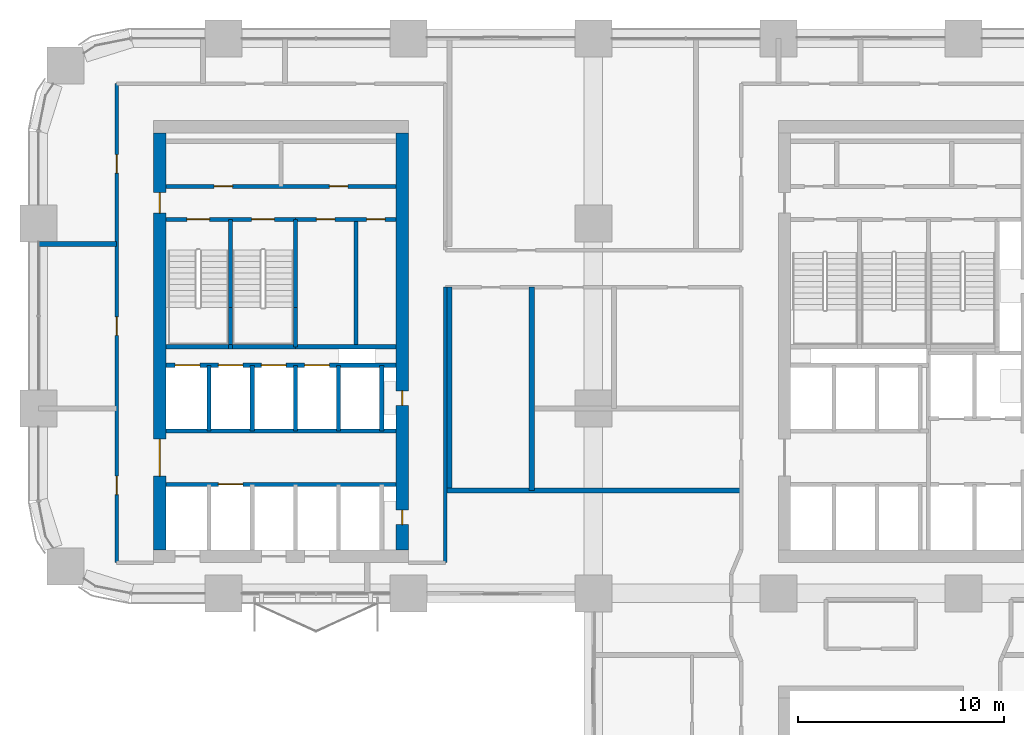
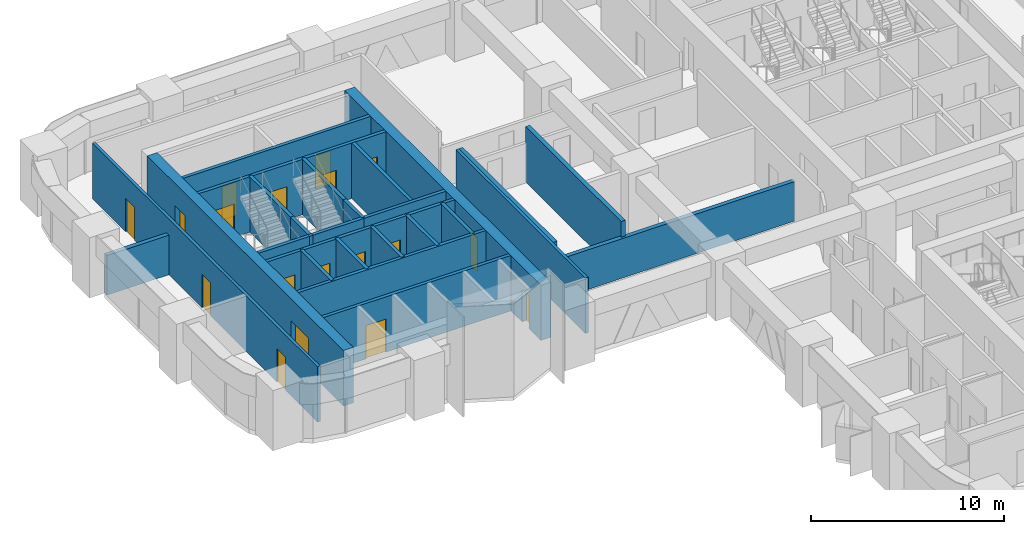
# One storey, part 15 of 24: 28 walls, 18 doors, 18 openings.
"""IFC4 building model written with IfcOpenShell, lengths in metres."""

from ifc_helpers import new_model, si_unit, direction, frame, frame_2d, origin, place, context, subcontext, project, spatial, rectangle, extrude, material, layer, layer_set, type_object, element, fill, save


model = new_model("IFC4")

# Units and contexts
model_context = context("Model", 3, precision=1e-05, world=origin(), true_north=direction((0.0, 1.0)))
body_context = subcontext(model_context, "Body", "Model", "MODEL_VIEW")
ifc_project = project(units=[si_unit("LENGTHUNIT", "METRE"), si_unit("AREAUNIT", "SQUARE_METRE"), si_unit("VOLUMEUNIT", "CUBIC_METRE"), si_unit("PLANEANGLEUNIT", "RADIAN"), si_unit("MASSUNIT", "GRAM", prefix="KILO")], contexts=[model_context])

# Site, building, storey
site_placement = place(None, origin())
site = spatial("IfcSite", under=ifc_project, at=site_placement, CompositionType="ELEMENT")
building_placement = place(site_placement, origin())
building = spatial("IfcBuilding", under=site, at=building_placement, Name="Tessera Arch", CompositionType="ELEMENT")
storey_placement = place(building_placement, frame((0.0, 0.0, 81.60009765625)))
storey = spatial("IfcBuildingStorey", under=building, at=storey_placement, Name="L18", CompositionType="ELEMENT", Elevation=81.60009765625)

# Wall
ifc_material_1 = material(Name="Gypsum board on steel stud", Category="steel")
ifc_layer_1 = layer(ifc_material_1, 0.125)
ifc_layer_set_1 = layer_set([ifc_layer_1], Name="Core partition 125 EI 60")
wall_type_1 = type_object("IfcWallType", Name="Core partition 125 EI 60", PredefinedType="PARTITIONING", material=ifc_layer_set_1)
wall_1_placement = place(storey_placement, frame((15.43994140625, 39.0, 0.0), z_axis=(0.0, 0.0, 1.0), x_axis=(0.0, 1.0, 0.0)))
element("IfcWall", 1, at=wall_1_placement, inside=storey, type_object=wall_type_1, Name="L18 C2 partition wall 14", PredefinedType="PARTITIONING", context=body_context, shape_type="SweptSolid", body=[
    extrude(rectangle(XDim=6.199951171875, YDim=0.199951171875, at=frame_2d((3.10009765625, 0.0))), origin(), (0.0, 0.0, 1.0), 3.5),
])

# Wall, openings, doors
wall_2_placement = place(storey_placement, frame((12.5, 45.199951171875, 0.0), z_axis=(0.0, 0.0, 1.0), x_axis=(1.0, 0.0, 0.0)))
wall_2 = element("IfcWall", 2, at=wall_2_placement, inside=storey, type_object=wall_type_1, Name="L18 C2 partition wall 24", PredefinedType="PARTITIONING", context=body_context, shape_type="SweptSolid", body=[
    extrude(rectangle(XDim=4.89990234375, YDim=0.199951171875, at=frame_2d((2.449951171875, 0.0))), origin(), (0.0, 0.0, 1.0), 3.5),
])
opening_1_placement = place(wall_2_placement, frame((1.02001953125, 0.0, 0.0)))
opening_1 = element("IfcOpeningElement", 3, at=opening_1_placement, cuts=wall_2, Name="Opening L18-C31", PredefinedType="OPENING", context=body_context, shape_type="SweptSolid", body=[
    extrude(rectangle(XDim=0.89990234375, YDim=2.10009765625, at=frame_2d((0.449951171875, 1.050048828125))), frame((0.0, 0.10986328125, 0.0), z_axis=(0.0, -1.0, 0.0), x_axis=(1.0, 0.0, 0.0)), (0.0, 0.0, 1.0), 0.219970703125),
])
opening_2_placement = place(wall_2_placement, frame((3.469970703125, 0.0, 0.0)))
opening_2 = element("IfcOpeningElement", 4, at=opening_2_placement, cuts=wall_2, Name="Opening L18-C32", PredefinedType="OPENING", context=body_context, shape_type="SweptSolid", body=[
    extrude(rectangle(XDim=0.89990234375, YDim=2.10009765625, at=frame_2d((0.449951171875, 1.050048828125))), frame((0.0, 0.10986328125, 0.0), z_axis=(0.0, -1.0, 0.0), x_axis=(1.0, 0.0, 0.0)), (0.0, 0.0, 1.0), 0.219970703125),
])
ifc_material_2 = material(Name="Steel door leaf", Category="steel")
door_type_1 = type_object("IfcDoorType", Name="Store door FD30S 900 x 2100", OperationType="SINGLE_SWING_LEFT", PredefinedType="DOOR", material=ifc_material_2)
door_1_placement = place(opening_1_placement, origin())
door_1 = element("IfcDoor", 5, at=door_1_placement, inside=storey, type_object=door_type_1, Name="L18 C2 door 17 C31 type D09", OperationType="SINGLE_SWING_LEFT", OverallHeight=2.10009765625, OverallWidth=0.89990234375, PredefinedType="DOOR", context=body_context, shape_type="SweptSolid", body=[
    extrude(rectangle(XDim=0.89990234375, YDim=2.10009765625, at=frame_2d((0.449951171875, 1.050048828125))), frame((0.0, 0.02490234375, 0.0), z_axis=(0.0, -1.0, 0.0), x_axis=(1.0, 0.0, 0.0)), (0.0, 0.0, 1.0), 0.050048828125),
])
fill(opening_1, door_1)
door_2_placement = place(opening_2_placement, origin())
door_2 = element("IfcDoor", 6, at=door_2_placement, inside=storey, type_object=door_type_1, Name="L18 C2 door 18 C32 type D09", OperationType="SINGLE_SWING_RIGHT", OverallHeight=2.10009765625, OverallWidth=0.89990234375, PredefinedType="DOOR", context=body_context, shape_type="SweptSolid", body=[
    extrude(rectangle(XDim=0.89990234375, YDim=2.10009765625, at=frame_2d((0.449951171875, 1.050048828125))), frame((0.0, 0.02490234375, 0.0), z_axis=(0.0, -1.0, 0.0), x_axis=(1.0, 0.0, 0.0)), (0.0, 0.0, 1.0), 0.050048828125),
])
fill(opening_2, door_2)

wall_3_placement = place(storey_placement, frame((6.199951171875, 46.800048828125, 0.0), z_axis=(0.0, 0.0, 1.0), x_axis=(1.0, 0.0, 0.0)))
wall_3 = element("IfcWall", 7, at=wall_3_placement, inside=storey, type_object=wall_type_1, Name="L18 C2 partition wall 26", PredefinedType="PARTITIONING", context=body_context, shape_type="SweptSolid", body=[
    extrude(rectangle(XDim=11.199951171875, YDim=0.199951171875, at=frame_2d((5.60009765625, 0.0))), origin(), (0.0, 0.0, 1.0), 3.5),
])
opening_3_placement = place(wall_3_placement, frame((2.35009765625, 0.0, 0.0)))
opening_3 = element("IfcOpeningElement", 8, at=opening_3_placement, cuts=wall_3, Name="Opening L18-C29", PredefinedType="OPENING", context=body_context, shape_type="SweptSolid", body=[
    extrude(rectangle(XDim=0.89990234375, YDim=2.10009765625, at=frame_2d((0.449951171875, 1.050048828125))), frame((0.0, 0.10986328125, 0.0), z_axis=(0.0, -1.0, 0.0), x_axis=(1.0, 0.0, 0.0)), (0.0, 0.0, 1.0), 0.219970703125),
])
opening_4_placement = place(wall_3_placement, frame((7.949951171875, 0.0, 0.0)))
opening_4 = element("IfcOpeningElement", 9, at=opening_4_placement, cuts=wall_3, Name="Opening L18-C30", PredefinedType="OPENING", context=body_context, shape_type="SweptSolid", body=[
    extrude(rectangle(XDim=0.89990234375, YDim=2.10009765625, at=frame_2d((0.449951171875, 1.050048828125))), frame((0.0, 0.10986328125, 0.0), z_axis=(0.0, -1.0, 0.0), x_axis=(1.0, 0.0, 0.0)), (0.0, 0.0, 1.0), 0.219970703125),
])
door_3_placement = place(opening_3_placement, origin())
door_3 = element("IfcDoor", 10, at=door_3_placement, inside=storey, type_object=door_type_1, Name="L18 C2 door 15 C29 type D09", OperationType="SINGLE_SWING_LEFT", OverallHeight=2.10009765625, OverallWidth=0.89990234375, PredefinedType="DOOR", context=body_context, shape_type="SweptSolid", body=[
    extrude(rectangle(XDim=0.89990234375, YDim=2.10009765625, at=frame_2d((0.449951171875, 1.050048828125))), frame((0.0, 0.02490234375, 0.0), z_axis=(0.0, -1.0, 0.0), x_axis=(1.0, 0.0, 0.0)), (0.0, 0.0, 1.0), 0.050048828125),
])
fill(opening_3, door_3)
door_4_placement = place(opening_4_placement, origin())
door_4 = element("IfcDoor", 11, at=door_4_placement, inside=storey, type_object=door_type_1, Name="L18 C2 door 16 C30 type D09", OperationType="SINGLE_SWING_RIGHT", OverallHeight=2.10009765625, OverallWidth=0.89990234375, PredefinedType="DOOR", context=body_context, shape_type="SweptSolid", body=[
    extrude(rectangle(XDim=0.89990234375, YDim=2.10009765625, at=frame_2d((0.449951171875, 1.050048828125))), frame((0.0, 0.02490234375, 0.0), z_axis=(0.0, -1.0, 0.0), x_axis=(1.0, 0.0, 0.0)), (0.0, 0.0, 1.0), 0.050048828125),
])
fill(opening_4, door_4)

ifc_material_3 = material(Name="Concrete C70/85", Category="concrete")
ifc_layer_2 = layer(ifc_material_3, 0.60009765625)
ifc_layer_set_2 = layer_set([ifc_layer_2], Name="Core shell wall 600 C70-85")
wall_type_2 = type_object("IfcWallType", Name="Core shell wall 600 C70-85", PredefinedType="SHEAR", material=ifc_layer_set_2)
wall_4_placement = place(storey_placement, frame((5.89990234375, 29.10009765625, 0.0), z_axis=(0.0, 0.0, 1.0), x_axis=(0.0, 1.0, 0.0)))
wall_4 = element("IfcWall", 12, at=wall_4_placement, inside=storey, type_object=wall_type_2, Name="L18 C2 core wall W", PredefinedType="SHEAR", context=body_context, shape_type="SweptSolid", body=[
    extrude(rectangle(XDim=20.2998046875, YDim=0.60009765625, at=frame_2d((10.14990234375, 0.0))), origin(), (0.0, 0.0, 1.0), 3.5),
])
opening_5_placement = place(wall_4_placement, frame((3.60009765625, 0.0, 0.0)))
opening_5 = element("IfcOpeningElement", 13, at=opening_5_placement, cuts=wall_4, Name="Opening L18-C25", PredefinedType="OPENING", context=body_context, shape_type="SweptSolid", body=[
    extrude(rectangle(XDim=1.800048828125, YDim=2.10009765625, at=frame_2d((0.89990234375, 1.050048828125))), frame((0.0, 0.31005859375, 0.0), z_axis=(0.0, -1.0, 0.0), x_axis=(1.0, 0.0, 0.0)), (0.0, 0.0, 1.0), 0.6201171875),
])
opening_6_placement = place(wall_4_placement, frame((16.39990234375, 0.0, 0.0)))
opening_6 = element("IfcOpeningElement", 14, at=opening_6_placement, cuts=wall_4, Name="Opening L18-C28", PredefinedType="OPENING", context=body_context, shape_type="SweptSolid", body=[
    extrude(rectangle(XDim=1.0, YDim=2.10009765625, at=frame_2d((0.5, 1.050048828125))), frame((0.0, 0.31005859375, 0.0), z_axis=(0.0, -1.0, 0.0), x_axis=(1.0, 0.0, 0.0)), (0.0, 0.0, 1.0), 0.6201171875),
])
ifc_material_4 = material(Name="Steel door leaf", Category="steel")
door_type_2 = type_object("IfcDoorType", Name="Corridor door FD60 1000 x 2100", OperationType="SINGLE_SWING_LEFT", PredefinedType="DOOR", material=ifc_material_4)
door_5_placement = place(opening_6_placement, origin())
door_5 = element("IfcDoor", 15, at=door_5_placement, inside=storey, type_object=door_type_2, Name="L18 C2 door 14 C28 type D12", OperationType="SINGLE_SWING_RIGHT", OverallHeight=2.10009765625, OverallWidth=1.0, PredefinedType="DOOR", context=body_context, shape_type="SweptSolid", body=[
    extrude(rectangle(XDim=1.0, YDim=2.10009765625, at=frame_2d((0.5, 1.050048828125))), frame((0.0, 0.02490234375, 0.0), z_axis=(0.0, -1.0, 0.0), x_axis=(1.0, 0.0, 0.0)), (0.0, 0.0, 1.0), 0.050048828125),
])
fill(opening_6, door_5)
ifc_material_5 = material(Name="Glazed steel door leaf", Category="steel")
door_type_3 = type_object("IfcDoorType", Name="Lobby double door FD30S 1800 x 2100", OperationType="DOUBLE_DOOR_SINGLE_SWING", PredefinedType="DOOR", material=ifc_material_5)
door_6_placement = place(opening_5_placement, origin())
door_6 = element("IfcDoor", 16, at=door_6_placement, inside=storey, type_object=door_type_3, Name="L18 C2 door 11 C25 type D06", OperationType="DOUBLE_DOOR_SINGLE_SWING", OverallHeight=2.10009765625, OverallWidth=1.800048828125, PredefinedType="DOOR", context=body_context, shape_type="SweptSolid", body=[
    extrude(rectangle(XDim=1.800048828125, YDim=2.10009765625, at=frame_2d((0.89990234375, 1.050048828125))), frame((0.0, 0.02490234375, 0.0), z_axis=(0.0, -1.0, 0.0), x_axis=(1.0, 0.0, 0.0)), (0.0, 0.0, 1.0), 0.050048828125),
])
fill(opening_5, door_6)

wall_5_placement = place(storey_placement, frame((17.699951171875, 29.10009765625, 0.0), z_axis=(0.0, 0.0, 1.0), x_axis=(0.0, 1.0, 0.0)))
wall_5 = element("IfcWall", 17, at=wall_5_placement, inside=storey, type_object=wall_type_2, Name="L18 C2 core wall E", PredefinedType="SHEAR", context=body_context, shape_type="SweptSolid", body=[
    extrude(rectangle(XDim=20.2998046875, YDim=0.60009765625, at=frame_2d((10.14990234375, 0.0))), origin(), (0.0, 0.0, 1.0), 3.5),
])
opening_7_placement = place(wall_5_placement, frame((1.25, 0.0, 0.0)))
opening_7 = element("IfcOpeningElement", 18, at=opening_7_placement, cuts=wall_5, Name="Opening L18-C23", PredefinedType="OPENING", context=body_context, shape_type="SweptSolid", body=[
    extrude(rectangle(XDim=0.699951171875, YDim=2.10009765625, at=frame_2d((0.35009765625, 1.050048828125))), frame((0.0, 0.31005859375, 0.0), z_axis=(0.0, -1.0, 0.0), x_axis=(1.0, 0.0, 0.0)), (0.0, 0.0, 1.0), 0.6201171875),
])
opening_8_placement = place(wall_5_placement, frame((7.050048828125, 0.0, 0.0)))
opening_8 = element("IfcOpeningElement", 19, at=opening_8_placement, cuts=wall_5, Name="Opening L18-C24", PredefinedType="OPENING", context=body_context, shape_type="SweptSolid", body=[
    extrude(rectangle(XDim=0.699951171875, YDim=2.10009765625, at=frame_2d((0.35009765625, 1.050048828125))), frame((0.0, 0.31005859375, 0.0), z_axis=(0.0, -1.0, 0.0), x_axis=(1.0, 0.0, 0.0)), (0.0, 0.0, 1.0), 0.6201171875),
])
ifc_material_6 = material(Name="Steel door leaf", Category="steel")
door_type_4 = type_object("IfcDoorType", Name="Service shaft door FD60 700 x 2100", OperationType="SINGLE_SWING_LEFT", PredefinedType="DOOR", material=ifc_material_6)
door_7_placement = place(opening_7_placement, origin())
door_7 = element("IfcDoor", 20, at=door_7_placement, inside=storey, type_object=door_type_4, Name="L18 C2 door 9 C23 type D07", OperationType="SINGLE_SWING_LEFT", OverallHeight=2.10009765625, OverallWidth=0.699951171875, PredefinedType="DOOR", context=body_context, shape_type="SweptSolid", body=[
    extrude(rectangle(XDim=0.699951171875, YDim=2.10009765625, at=frame_2d((0.35009765625, 1.050048828125))), frame((0.0, 0.02490234375, 0.0), z_axis=(0.0, -1.0, 0.0), x_axis=(1.0, 0.0, 0.0)), (0.0, 0.0, 1.0), 0.050048828125),
])
fill(opening_7, door_7)
door_8_placement = place(opening_8_placement, origin())
door_8 = element("IfcDoor", 21, at=door_8_placement, inside=storey, type_object=door_type_4, Name="L18 C2 door 10 C24 type D07", OperationType="SINGLE_SWING_LEFT", OverallHeight=2.10009765625, OverallWidth=0.699951171875, PredefinedType="DOOR", context=body_context, shape_type="SweptSolid", body=[
    extrude(rectangle(XDim=0.699951171875, YDim=2.10009765625, at=frame_2d((0.35009765625, 1.050048828125))), frame((0.0, 0.02490234375, 0.0), z_axis=(0.0, -1.0, 0.0), x_axis=(1.0, 0.0, 0.0)), (0.0, 0.0, 1.0), 0.050048828125),
])
fill(opening_8, door_8)

ifc_material_7 = material(Name="Gypsum board on deep steel stud with mineral wool", Category="steel")
ifc_layer_3 = layer(ifc_material_7, 0.175048828125)
ifc_layer_set_3 = layer_set([ifc_layer_3], Name="Corridor wall 175 EI 60")
wall_type_3 = type_object("IfcWallType", Name="Corridor wall 175 EI 60", PredefinedType="PARTITIONING", material=ifc_layer_set_3)
wall_6_placement = place(storey_placement, frame((3.800048828125, 28.5, 0.0), z_axis=(0.0, 0.0, 1.0), x_axis=(0.0, 1.0, 0.0)))
wall_6 = element("IfcWall", 22, at=wall_6_placement, inside=storey, type_object=wall_type_3, Name="L18 partition 11", PredefinedType="PARTITIONING", context=body_context, shape_type="SweptSolid", body=[
    extrude(rectangle(XDim=23.300048828125, YDim=0.175048828125, at=frame_2d((11.64990234375, 0.0))), origin(), (0.0, 0.0, 1.0), 3.5),
])
opening_9_placement = place(wall_6_placement, frame((3.300048828125, 0.0, 0.0)))
opening_9 = element("IfcOpeningElement", 23, at=opening_9_placement, cuts=wall_6, Name="Opening L18-D026", PredefinedType="OPENING", context=body_context, shape_type="SweptSolid", body=[
    extrude(rectangle(XDim=0.89990234375, YDim=2.10009765625, at=frame_2d((0.449951171875, 1.050048828125))), frame((0.0, 0.097412109375, 0.0), z_axis=(0.0, -1.0, 0.0), x_axis=(1.0, 0.0, 0.0)), (0.0, 0.0, 1.0), 0.195068359375),
])
opening_10_placement = place(wall_6_placement, frame((11.050048828125, 0.0, 0.0)))
opening_10 = element("IfcOpeningElement", 24, at=opening_10_placement, cuts=wall_6, Name="Opening L18-D031", PredefinedType="OPENING", context=body_context, shape_type="SweptSolid", body=[
    extrude(rectangle(XDim=0.89990234375, YDim=2.10009765625, at=frame_2d((0.449951171875, 1.050048828125))), frame((0.0, 0.097412109375, 0.0), z_axis=(0.0, -1.0, 0.0), x_axis=(1.0, 0.0, 0.0)), (0.0, 0.0, 1.0), 0.195068359375),
])
opening_11_placement = place(wall_6_placement, frame((18.949951171875, 0.0, 0.0)))
opening_11 = element("IfcOpeningElement", 25, at=opening_11_placement, cuts=wall_6, Name="Opening L18-D034", PredefinedType="OPENING", context=body_context, shape_type="SweptSolid", body=[
    extrude(rectangle(XDim=0.89990234375, YDim=2.10009765625, at=frame_2d((0.449951171875, 1.050048828125))), frame((0.0, 0.097412109375, 0.0), z_axis=(0.0, -1.0, 0.0), x_axis=(1.0, 0.0, 0.0)), (0.0, 0.0, 1.0), 0.195068359375),
])
ifc_material_8 = material(Name="Timber door leaf", Category="wood")
door_type_5 = type_object("IfcDoorType", Name="Room door 900 x 2100", OperationType="SINGLE_SWING_LEFT", PredefinedType="DOOR", material=ifc_material_8)
door_9_placement = place(opening_9_placement, origin())
door_9 = element("IfcDoor", 26, at=door_9_placement, inside=storey, type_object=door_type_5, Name="L18 door D026 type D01", OperationType="SINGLE_SWING_LEFT", OverallHeight=2.10009765625, OverallWidth=0.89990234375, PredefinedType="DOOR", context=body_context, shape_type="SweptSolid", body=[
    extrude(rectangle(XDim=0.89990234375, YDim=2.10009765625, at=frame_2d((0.449951171875, 1.050048828125))), frame((0.0, 0.02490234375, 0.0), z_axis=(0.0, -1.0, 0.0), x_axis=(1.0, 0.0, 0.0)), (0.0, 0.0, 1.0), 0.050048828125),
])
fill(opening_9, door_9)
door_10_placement = place(opening_10_placement, origin())
door_10 = element("IfcDoor", 27, at=door_10_placement, inside=storey, type_object=door_type_5, Name="L18 door D031 type D01", OperationType="SINGLE_SWING_RIGHT", OverallHeight=2.10009765625, OverallWidth=0.89990234375, PredefinedType="DOOR", context=body_context, shape_type="SweptSolid", body=[
    extrude(rectangle(XDim=0.89990234375, YDim=2.10009765625, at=frame_2d((0.449951171875, 1.050048828125))), frame((0.0, 0.02490234375, 0.0), z_axis=(0.0, -1.0, 0.0), x_axis=(1.0, 0.0, 0.0)), (0.0, 0.0, 1.0), 0.050048828125),
])
fill(opening_10, door_10)
door_11_placement = place(opening_11_placement, origin())
door_11 = element("IfcDoor", 28, at=door_11_placement, inside=storey, type_object=door_type_5, Name="L18 door D034 type D01", OperationType="SINGLE_SWING_LEFT", OverallHeight=2.10009765625, OverallWidth=0.89990234375, PredefinedType="DOOR", context=body_context, shape_type="SweptSolid", body=[
    extrude(rectangle(XDim=0.89990234375, YDim=2.10009765625, at=frame_2d((0.449951171875, 1.050048828125))), frame((0.0, 0.02490234375, 0.0), z_axis=(0.0, -1.0, 0.0), x_axis=(1.0, 0.0, 0.0)), (0.0, 0.0, 1.0), 0.050048828125),
])
fill(opening_11, door_11)

# Walls
wall_7_placement = place(storey_placement, frame((19.800048828125, 28.5, 0.0), z_axis=(0.0, 0.0, 1.0), x_axis=(0.0, 1.0, 0.0)))
element("IfcWall", 29, at=wall_7_placement, inside=storey, type_object=wall_type_3, Name="L18 partition 12", PredefinedType="PARTITIONING", context=body_context, shape_type="SweptSolid", body=[
    extrude(rectangle(XDim=13.39990234375, YDim=0.175048828125, at=frame_2d((6.699951171875, 0.0))), origin(), (0.0, 0.0, 1.0), 3.5),
])
ifc_material_9 = material(Name="Double gypsum board on twin steel stud with acoustic mineral wool", Category="steel")
ifc_layer_4 = layer(ifc_material_9, 0.25)
ifc_layer_set_4 = layer_set([ifc_layer_4], Name="Party wall 250 EI 60")
wall_type_4 = type_object("IfcWallType", Name="Party wall 250 EI 60", PredefinedType="PARTITIONING", material=ifc_layer_set_4)
wall_8_placement = place(storey_placement, frame((19.875, 32.0, 0.0), z_axis=(0.0, 0.0, 1.0), x_axis=(1.0, 0.0, 0.0)))
element("IfcWall", 30, at=wall_8_placement, inside=storey, type_object=wall_type_4, Name="L18 partition 37", PredefinedType="PARTITIONING", context=body_context, shape_type="SweptSolid", body=[
    extrude(rectangle(XDim=14.324951171875, YDim=0.25, at=frame_2d((7.16259765625, 0.0))), origin(), (0.0, 0.0, 1.0), 2.5),
])
wall_9_placement = place(storey_placement, frame((0.0, 44.0, 0.0), z_axis=(0.0, 0.0, 1.0), x_axis=(1.0, 0.0, 0.0)))
element("IfcWall", 31, at=wall_9_placement, inside=storey, type_object=wall_type_4, Name="L18 partition 41", PredefinedType="PARTITIONING", context=body_context, shape_type="SweptSolid", body=[
    extrude(rectangle(XDim=3.800048828125, YDim=0.25, at=frame_2d((1.89990234375, 0.0))), origin(), (0.0, 0.0, 1.0), 2.5),
])
wall_10_placement = place(storey_placement, frame((20.0, 32.125, 0.0), z_axis=(0.0, 0.0, 1.0), x_axis=(0.0, 1.0, 0.0)))
element("IfcWall", 32, at=wall_10_placement, inside=storey, type_object=wall_type_4, Name="L18 partition 47", PredefinedType="PARTITIONING", context=body_context, shape_type="SweptSolid", body=[
    extrude(rectangle(XDim=9.77490234375, YDim=0.25, at=frame_2d((4.887451171875, 0.0))), origin(), (0.0, 0.0, 1.0), 3.5),
])
wall_11_placement = place(storey_placement, frame((24.0, 32.0, 0.0), z_axis=(0.0, 0.0, 1.0), x_axis=(0.0, 1.0, 0.0)))
element("IfcWall", 33, at=wall_11_placement, inside=storey, type_object=wall_type_4, Name="L18 partition 49", PredefinedType="PARTITIONING", context=body_context, shape_type="SweptSolid", body=[
    extrude(rectangle(XDim=9.89990234375, YDim=0.25, at=frame_2d((4.949951171875, 0.0))), origin(), (0.0, 0.0, 1.0), 3.5),
])
ifc_material_10 = material(Name="Concrete C40/50", Category="concrete")
ifc_layer_5 = layer(ifc_material_10, 0.199951171875)
ifc_layer_set_5 = layer_set([ifc_layer_5], Name="Shaft wall 200 EI 120")
wall_type_5 = type_object("IfcWallType", Name="Shaft wall 200 EI 120", PredefinedType="SOLIDWALL", material=ifc_layer_set_5)
for number, where, z_axis, x_axis, name in (
    (34, (8.300048828125, 34.89990234375, 0.0), (0.0, 0.0, 1.0), (0.0, 1.0, 0.0), "L18 C2 shaft wall 2"),
    (35, (10.39990234375, 34.89990234375, 0.0), (0.0, 0.0, 1.0), (0.0, 1.0, 0.0), "L18 C2 shaft wall 6"),
    (36, (12.5, 34.89990234375, 0.0), (0.0, 0.0, 1.0), (0.0, 1.0, 0.0), "L18 C2 shaft wall 9"),
    (37, (14.60009765625, 34.89990234375, 0.0), (0.0, 0.0, 1.0), (0.0, 1.0, 0.0), "L18 C2 shaft wall 13"),
    (38, (16.699951171875, 34.89990234375, 0.0), (0.0, 0.0, 1.0), (0.0, 1.0, 0.0), "L18 C2 shaft wall 16"),
):
    element("IfcWall", number, at=place(storey_placement, frame(where, z_axis=z_axis, x_axis=x_axis)), inside=storey, type_object=wall_type_5, Name=name, PredefinedType="SOLIDWALL", context=body_context, shape_type="SweptSolid", body=[
        extrude(rectangle(XDim=3.2001953125, YDim=0.199951171875, at=frame_2d((1.60009765625, 0.0))), origin(), (0.0, 0.0, 1.0), 3.5),
    ])

# Wall, opening, door
wall_12_placement = place(storey_placement, frame((6.199951171875, 32.300048828125, 0.0), z_axis=(0.0, 0.0, 1.0), x_axis=(1.0, 0.0, 0.0)))
wall_12 = element("IfcWall", 39, at=wall_12_placement, inside=storey, type_object=wall_type_5, Name="L18 C2 shaft wall 17", PredefinedType="SOLIDWALL", context=body_context, shape_type="SweptSolid", body=[
    extrude(rectangle(XDim=11.199951171875, YDim=0.199951171875, at=frame_2d((5.60009765625, 0.0))), origin(), (0.0, 0.0, 1.0), 3.5),
])
opening_12_placement = place(wall_12_placement, frame((2.550048828125, 0.0, 0.0)))
opening_12 = element("IfcOpeningElement", 40, at=opening_12_placement, cuts=wall_12, Name="Opening L18-C16", PredefinedType="OPENING", context=body_context, shape_type="SweptSolid", body=[
    extrude(rectangle(XDim=1.199951171875, YDim=2.10009765625, at=frame_2d((0.60009765625, 1.050048828125))), frame((0.0, 0.10986328125, 0.0), z_axis=(0.0, -1.0, 0.0), x_axis=(1.0, 0.0, 0.0)), (0.0, 0.0, 1.0), 0.219970703125),
])
ifc_material_11 = material(Name="Stainless steel AISI 304", Category="steel")
door_type_6 = type_object("IfcDoorType", Name="Sliding landing door 1200 x 2100", OperationType="SLIDING_TO_LEFT", PredefinedType="DOOR", material=ifc_material_11)
door_12_placement = place(opening_12_placement, origin())
door_12 = element("IfcDoor", 41, at=door_12_placement, inside=storey, type_object=door_type_6, Name="L18 LR2 lift landing door C16 type LD", OperationType="SLIDING_TO_LEFT", OverallHeight=2.10009765625, OverallWidth=1.199951171875, PredefinedType="DOOR", context=body_context, shape_type="SweptSolid", body=[
    extrude(rectangle(XDim=1.199951171875, YDim=2.10009765625, at=frame_2d((0.60009765625, 1.050048828125))), frame((0.0, 0.02490234375, 0.0), z_axis=(0.0, -1.0, 0.0), x_axis=(1.0, 0.0, 0.0)), (0.0, 0.0, 1.0), 0.050048828125),
])
fill(opening_12, door_12)

# Wall
wall_13_placement = place(storey_placement, frame((6.199951171875, 34.89990234375, 0.0), z_axis=(0.0, 0.0, 1.0), x_axis=(1.0, 0.0, 0.0)))
element("IfcWall", 42, at=wall_13_placement, inside=storey, type_object=wall_type_5, Name="L18 C2 shaft wall 18", PredefinedType="SOLIDWALL", context=body_context, shape_type="SweptSolid", body=[
    extrude(rectangle(XDim=11.199951171875, YDim=0.199951171875, at=frame_2d((5.60009765625, 0.0))), origin(), (0.0, 0.0, 1.0), 3.5),
])

# Wall, openings, doors
wall_14_placement = place(storey_placement, frame((6.199951171875, 38.10009765625, 0.0), z_axis=(0.0, 0.0, 1.0), x_axis=(1.0, 0.0, 0.0)))
wall_14 = element("IfcWall", 43, at=wall_14_placement, inside=storey, type_object=wall_type_5, Name="L18 C2 shaft wall 19", PredefinedType="SOLIDWALL", context=body_context, shape_type="SweptSolid", body=[
    extrude(rectangle(XDim=11.199951171875, YDim=0.199951171875, at=frame_2d((5.60009765625, 0.0))), origin(), (0.0, 0.0, 1.0), 3.5),
])
opening_13_placement = place(wall_14_placement, frame((0.449951171875, 0.0, 0.0)))
opening_13 = element("IfcOpeningElement", 44, at=opening_13_placement, cuts=wall_14, Name="Opening L18-C19", PredefinedType="OPENING", context=body_context, shape_type="SweptSolid", body=[
    extrude(rectangle(XDim=1.199951171875, YDim=2.10009765625, at=frame_2d((0.60009765625, 1.050048828125))), frame((0.0, 0.10986328125, 0.0), z_axis=(0.0, -1.0, 0.0), x_axis=(1.0, 0.0, 0.0)), (0.0, 0.0, 1.0), 0.219970703125),
])
opening_14_placement = place(wall_14_placement, frame((2.550048828125, 0.0, 0.0)))
opening_14 = element("IfcOpeningElement", 45, at=opening_14_placement, cuts=wall_14, Name="Opening L18-C20", PredefinedType="OPENING", context=body_context, shape_type="SweptSolid", body=[
    extrude(rectangle(XDim=1.199951171875, YDim=2.10009765625, at=frame_2d((0.60009765625, 1.050048828125))), frame((0.0, 0.10986328125, 0.0), z_axis=(0.0, -1.0, 0.0), x_axis=(1.0, 0.0, 0.0)), (0.0, 0.0, 1.0), 0.219970703125),
])
opening_15_placement = place(wall_14_placement, frame((4.64990234375, 0.0, 0.0)))
opening_15 = element("IfcOpeningElement", 46, at=opening_15_placement, cuts=wall_14, Name="Opening L18-C21", PredefinedType="OPENING", context=body_context, shape_type="SweptSolid", body=[
    extrude(rectangle(XDim=1.199951171875, YDim=2.10009765625, at=frame_2d((0.60009765625, 1.050048828125))), frame((0.0, 0.10986328125, 0.0), z_axis=(0.0, -1.0, 0.0), x_axis=(1.0, 0.0, 0.0)), (0.0, 0.0, 1.0), 0.219970703125),
])
opening_16_placement = place(wall_14_placement, frame((6.75, 0.0, 0.0)))
opening_16 = element("IfcOpeningElement", 47, at=opening_16_placement, cuts=wall_14, Name="Opening L18-C22", PredefinedType="OPENING", context=body_context, shape_type="SweptSolid", body=[
    extrude(rectangle(XDim=1.199951171875, YDim=2.10009765625, at=frame_2d((0.60009765625, 1.050048828125))), frame((0.0, 0.10986328125, 0.0), z_axis=(0.0, -1.0, 0.0), x_axis=(1.0, 0.0, 0.0)), (0.0, 0.0, 1.0), 0.219970703125),
])
door_13_placement = place(opening_13_placement, origin())
door_13 = element("IfcDoor", 48, at=door_13_placement, inside=storey, type_object=door_type_6, Name="L18 LR5 lift landing door C19 type LD", OperationType="SLIDING_TO_LEFT", OverallHeight=2.10009765625, OverallWidth=1.199951171875, PredefinedType="DOOR", context=body_context, shape_type="SweptSolid", body=[
    extrude(rectangle(XDim=1.199951171875, YDim=2.10009765625, at=frame_2d((0.60009765625, 1.050048828125))), frame((0.0, 0.02490234375, 0.0), z_axis=(0.0, -1.0, 0.0), x_axis=(1.0, 0.0, 0.0)), (0.0, 0.0, 1.0), 0.050048828125),
])
fill(opening_13, door_13)
door_14_placement = place(opening_14_placement, origin())
door_14 = element("IfcDoor", 49, at=door_14_placement, inside=storey, type_object=door_type_6, Name="L18 LR6 lift landing door C20 type LD", OperationType="SLIDING_TO_LEFT", OverallHeight=2.10009765625, OverallWidth=1.199951171875, PredefinedType="DOOR", context=body_context, shape_type="SweptSolid", body=[
    extrude(rectangle(XDim=1.199951171875, YDim=2.10009765625, at=frame_2d((0.60009765625, 1.050048828125))), frame((0.0, 0.02490234375, 0.0), z_axis=(0.0, -1.0, 0.0), x_axis=(1.0, 0.0, 0.0)), (0.0, 0.0, 1.0), 0.050048828125),
])
fill(opening_14, door_14)
door_15_placement = place(opening_15_placement, origin())
door_15 = element("IfcDoor", 50, at=door_15_placement, inside=storey, type_object=door_type_6, Name="L18 LR7 lift landing door C21 type LD", OperationType="SLIDING_TO_LEFT", OverallHeight=2.10009765625, OverallWidth=1.199951171875, PredefinedType="DOOR", context=body_context, shape_type="SweptSolid", body=[
    extrude(rectangle(XDim=1.199951171875, YDim=2.10009765625, at=frame_2d((0.60009765625, 1.050048828125))), frame((0.0, 0.02490234375, 0.0), z_axis=(0.0, -1.0, 0.0), x_axis=(1.0, 0.0, 0.0)), (0.0, 0.0, 1.0), 0.050048828125),
])
fill(opening_15, door_15)
door_16_placement = place(opening_16_placement, origin())
door_16 = element("IfcDoor", 51, at=door_16_placement, inside=storey, type_object=door_type_6, Name="L18 LR8 lift landing door C22 type LD", OperationType="SLIDING_TO_LEFT", OverallHeight=2.10009765625, OverallWidth=1.199951171875, PredefinedType="DOOR", context=body_context, shape_type="SweptSolid", body=[
    extrude(rectangle(XDim=1.199951171875, YDim=2.10009765625, at=frame_2d((0.60009765625, 1.050048828125))), frame((0.0, 0.02490234375, 0.0), z_axis=(0.0, -1.0, 0.0), x_axis=(1.0, 0.0, 0.0)), (0.0, 0.0, 1.0), 0.050048828125),
])
fill(opening_16, door_16)

# Walls
wall_15_placement = place(storey_placement, frame((12.5, 39.0, 0.0), z_axis=(0.0, 0.0, 1.0), x_axis=(1.0, 0.0, 0.0)))
element("IfcWall", 52, at=wall_15_placement, inside=storey, type_object=wall_type_5, Name="L18 C2 shaft wall 20", PredefinedType="SOLIDWALL", context=body_context, shape_type="SweptSolid", body=[
    extrude(rectangle(XDim=4.89990234375, YDim=0.199951171875, at=frame_2d((2.449951171875, 0.0))), origin(), (0.0, 0.0, 1.0), 3.5),
])
ifc_material_12 = material(Name="Concrete C40/50", Category="concrete")
ifc_layer_6 = layer(ifc_material_12, 0.199951171875)
ifc_layer_set_6 = layer_set([ifc_layer_6], Name="Stair well wall 200 REI 180")
wall_type_6 = type_object("IfcWallType", Name="Stair well wall 200 REI 180", PredefinedType="SOLIDWALL", material=ifc_layer_set_6)
wall_16_placement = place(storey_placement, frame((9.35009765625, 39.0, 0.0), z_axis=(0.0, 0.0, 1.0), x_axis=(0.0, 1.0, 0.0)))
element("IfcWall", 53, at=wall_16_placement, inside=storey, type_object=wall_type_6, Name="L18 C2 shaft wall 3", PredefinedType="SOLIDWALL", context=body_context, shape_type="SweptSolid", body=[
    extrude(rectangle(XDim=1.89990234375, YDim=0.199951171875, at=frame_2d((0.949951171875, 0.0))), origin(), (0.0, 0.0, 1.0), 3.5),
])
wall_17_placement = place(storey_placement, frame((9.35009765625, 40.89990234375, 0.0), z_axis=(0.0, 0.0, 1.0), x_axis=(0.0, 1.0, 0.0)))
element("IfcWall", 54, at=wall_17_placement, inside=storey, type_object=wall_type_6, Name="L18 C2 shaft wall 4", PredefinedType="SOLIDWALL", context=body_context, shape_type="SweptSolid", body=[
    extrude(rectangle(XDim=4.300048828125, YDim=0.199951171875, at=frame_2d((2.14990234375, 0.0))), origin(), (0.0, 0.0, 1.0), 3.5),
])
wall_18_placement = place(storey_placement, frame((12.5, 39.0, 0.0), z_axis=(0.0, 0.0, 1.0), x_axis=(0.0, 1.0, 0.0)))
element("IfcWall", 55, at=wall_18_placement, inside=storey, type_object=wall_type_6, Name="L18 C2 shaft wall 10", PredefinedType="SOLIDWALL", context=body_context, shape_type="SweptSolid", body=[
    extrude(rectangle(XDim=1.89990234375, YDim=0.199951171875, at=frame_2d((0.949951171875, 0.0))), origin(), (0.0, 0.0, 1.0), 3.5),
])
wall_19_placement = place(storey_placement, frame((12.5, 40.89990234375, 0.0), z_axis=(0.0, 0.0, 1.0), x_axis=(0.0, 1.0, 0.0)))
element("IfcWall", 56, at=wall_19_placement, inside=storey, type_object=wall_type_6, Name="L18 C2 shaft wall 11", PredefinedType="SOLIDWALL", context=body_context, shape_type="SweptSolid", body=[
    extrude(rectangle(XDim=4.300048828125, YDim=0.199951171875, at=frame_2d((2.14990234375, 0.0))), origin(), (0.0, 0.0, 1.0), 3.5),
])
wall_20_placement = place(storey_placement, frame((6.199951171875, 39.0, 0.0), z_axis=(0.0, 0.0, 1.0), x_axis=(1.0, 0.0, 0.0)))
element("IfcWall", 57, at=wall_20_placement, inside=storey, type_object=wall_type_6, Name="L18 C2 shaft wall 21", PredefinedType="SOLIDWALL", context=body_context, shape_type="SweptSolid", body=[
    extrude(rectangle(XDim=3.050048828125, YDim=0.199951171875, at=frame_2d((1.52490234375, 0.0))), origin(), (0.0, 0.0, 1.0), 3.5),
])
wall_21_placement = place(storey_placement, frame((9.25, 39.0, 0.0), z_axis=(0.0, 0.0, 1.0), x_axis=(1.0, 0.0, 0.0)))
element("IfcWall", 58, at=wall_21_placement, inside=storey, type_object=wall_type_6, Name="L18 C2 shaft wall 22", PredefinedType="SOLIDWALL", context=body_context, shape_type="SweptSolid", body=[
    extrude(rectangle(XDim=0.199951171875, YDim=0.199951171875, at=frame_2d((0.10009765625, 0.0))), origin(), (0.0, 0.0, 1.0), 3.5),
])
wall_22_placement = place(storey_placement, frame((9.449951171875, 39.0, 0.0), z_axis=(0.0, 0.0, 1.0), x_axis=(1.0, 0.0, 0.0)))
element("IfcWall", 59, at=wall_22_placement, inside=storey, type_object=wall_type_6, Name="L18 C2 shaft wall 23", PredefinedType="SOLIDWALL", context=body_context, shape_type="SweptSolid", body=[
    extrude(rectangle(XDim=3.050048828125, YDim=0.199951171875, at=frame_2d((1.52490234375, 0.0))), origin(), (0.0, 0.0, 1.0), 3.5),
])

# Wall, openings, doors
wall_23_placement = place(storey_placement, frame((6.199951171875, 45.199951171875, 0.0), z_axis=(0.0, 0.0, 1.0), x_axis=(1.0, 0.0, 0.0)))
wall_23 = element("IfcWall", 60, at=wall_23_placement, inside=storey, type_object=wall_type_6, Name="L18 C2 shaft wall 25", PredefinedType="SOLIDWALL", context=body_context, shape_type="SweptSolid", body=[
    extrude(rectangle(XDim=6.300048828125, YDim=0.199951171875, at=frame_2d((3.14990234375, 0.0))), origin(), (0.0, 0.0, 1.0), 3.5),
])
opening_17_placement = place(wall_23_placement, frame((1.02490234375, 0.0, 0.0)))
opening_17 = element("IfcOpeningElement", 61, at=opening_17_placement, cuts=wall_23, Name="Opening L18-C26", PredefinedType="OPENING", context=body_context, shape_type="SweptSolid", body=[
    extrude(rectangle(XDim=1.10009765625, YDim=2.10009765625, at=frame_2d((0.550048828125, 1.050048828125))), frame((0.0, 0.10986328125, 0.0), z_axis=(0.0, -1.0, 0.0), x_axis=(1.0, 0.0, 0.0)), (0.0, 0.0, 1.0), 0.219970703125),
])
opening_18_placement = place(wall_23_placement, frame((4.175048828125, 0.0, 0.0)))
opening_18 = element("IfcOpeningElement", 62, at=opening_18_placement, cuts=wall_23, Name="Opening L18-C27", PredefinedType="OPENING", context=body_context, shape_type="SweptSolid", body=[
    extrude(rectangle(XDim=1.10009765625, YDim=2.10009765625, at=frame_2d((0.550048828125, 1.050048828125))), frame((0.0, 0.10986328125, 0.0), z_axis=(0.0, -1.0, 0.0), x_axis=(1.0, 0.0, 0.0)), (0.0, 0.0, 1.0), 0.219970703125),
])
ifc_material_13 = material(Name="Steel door leaf", Category="steel")
door_type_7 = type_object("IfcDoorType", Name="Stair door FD60 1100 x 2100", OperationType="SINGLE_SWING_LEFT", PredefinedType="DOOR", material=ifc_material_13)
door_17_placement = place(opening_17_placement, origin())
door_17 = element("IfcDoor", 63, at=door_17_placement, inside=storey, type_object=door_type_7, Name="L18 C2 door 12 C26 type D05", OperationType="SINGLE_SWING_LEFT", OverallHeight=2.10009765625, OverallWidth=1.10009765625, PredefinedType="DOOR", context=body_context, shape_type="SweptSolid", body=[
    extrude(rectangle(XDim=1.10009765625, YDim=2.10009765625, at=frame_2d((0.550048828125, 1.050048828125))), frame((0.0, 0.02490234375, 0.0), z_axis=(0.0, -1.0, 0.0), x_axis=(1.0, 0.0, 0.0)), (0.0, 0.0, 1.0), 0.050048828125),
])
fill(opening_17, door_17)
door_18_placement = place(opening_18_placement, origin())
door_18 = element("IfcDoor", 64, at=door_18_placement, inside=storey, type_object=door_type_7, Name="L18 C2 door 13 C27 type D05", OperationType="SINGLE_SWING_RIGHT", OverallHeight=2.10009765625, OverallWidth=1.10009765625, PredefinedType="DOOR", context=body_context, shape_type="SweptSolid", body=[
    extrude(rectangle(XDim=1.10009765625, YDim=2.10009765625, at=frame_2d((0.550048828125, 1.050048828125))), frame((0.0, 0.02490234375, 0.0), z_axis=(0.0, -1.0, 0.0), x_axis=(1.0, 0.0, 0.0)), (0.0, 0.0, 1.0), 0.050048828125),
])
fill(opening_18, door_18)

save(model, "model.ifc")
